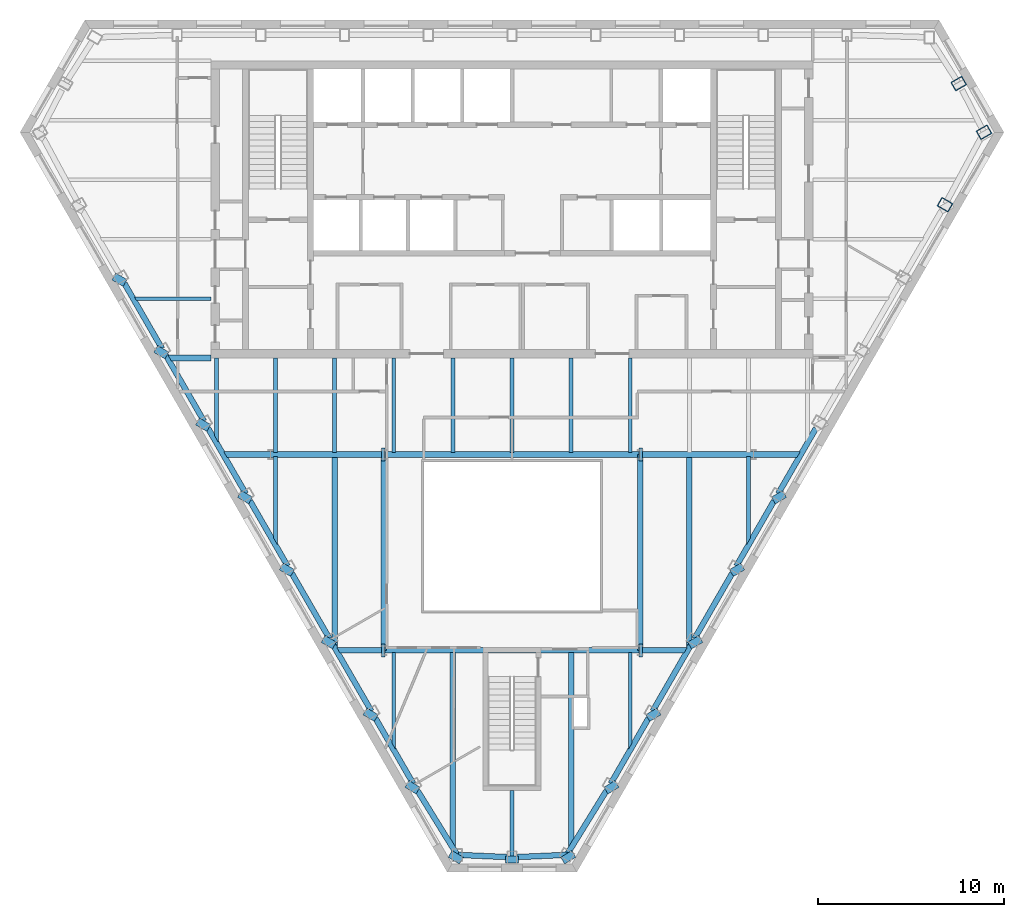
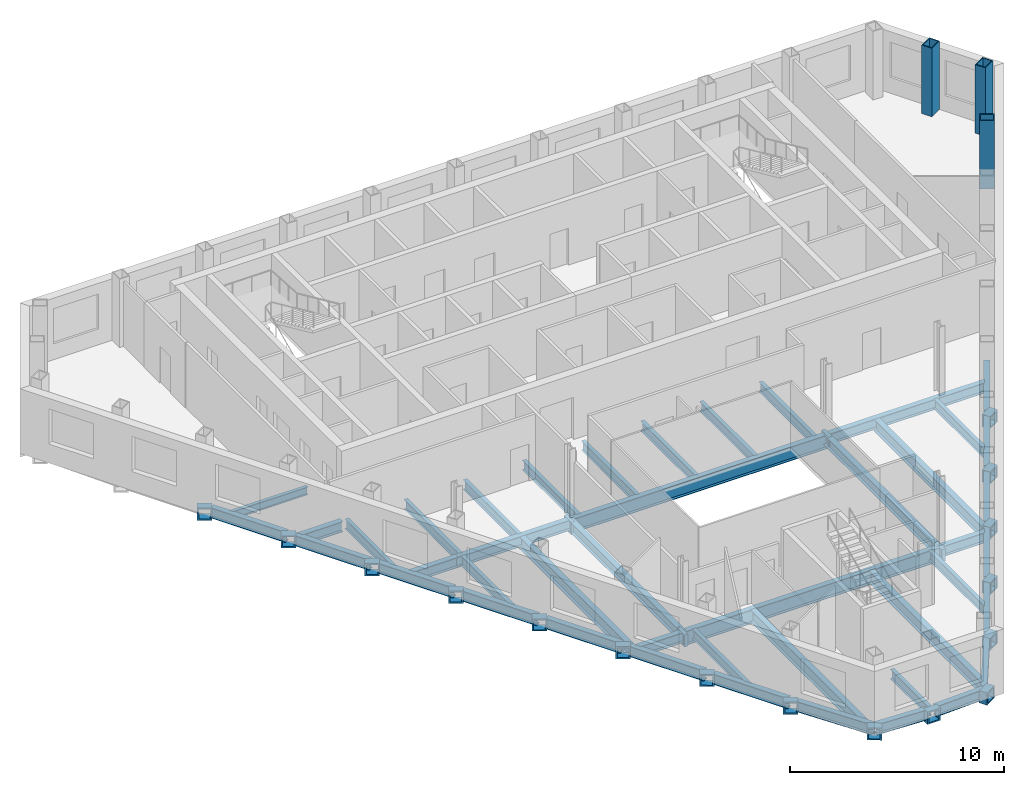
# One storey, part 2 of 11: 65 beams, 3 columns.
"""IFC4 building model written with IfcOpenShell, lengths in metres."""

from ifc_helpers import new_model, si_unit, direction, frame, origin, origin_2d, place, context, subcontext, project, spatial, hollow_rectangle, i_section, extrude, clip, halfspace, material, material_profile, profile_set, type_object, element, save


model = new_model("IFC4")

# Units and contexts
model_context = context("Model", 3, precision=1e-05, world=origin(), true_north=direction((0.0, 1.0)))
body_context = subcontext(model_context, "Body", "Model", "MODEL_VIEW")
ifc_project = project(units=[si_unit("LENGTHUNIT", "METRE"), si_unit("AREAUNIT", "SQUARE_METRE"), si_unit("VOLUMEUNIT", "CUBIC_METRE"), si_unit("PLANEANGLEUNIT", "RADIAN"), si_unit("MASSUNIT", "GRAM", prefix="KILO")], contexts=[model_context])

# Site, building, storey
site_placement = place(None, origin())
site = spatial("IfcSite", under=ifc_project, at=site_placement, CompositionType="ELEMENT")
building_placement = place(site_placement, origin())
building = spatial("IfcBuilding", under=site, at=building_placement, Name="Njiva Tower", CompositionType="ELEMENT")
storey_placement = place(building_placement, frame((0.0, 0.0, 216.0)))
storey = spatial("IfcBuildingStorey", under=building, at=storey_placement, Name="L48", CompositionType="ELEMENT", Elevation=216.0)

# Columns
ifc_material = material(Name="Steel S355 J2", Category="steel")
ifc_material_profile_1 = material_profile(ifc_material, hollow_rectangle(XDim=0.55, YDim=0.7, WallThickness=0.05, at=origin_2d()), Name="BOX 700x550x50")
ifc_profile_set_1 = profile_set([ifc_material_profile_1], Name="Steel S355 J2")
column_type = type_object("IfcColumnType", Name="C11 Perimeter tube column BOX 700x550x50", PredefinedType="COLUMN", material=ifc_profile_set_1)
for number, where, z_axis, x_axis, name in (
    (1, (23.317, 10.251, 0.0), (0.0, 0.0, 1.0), (0.5, 0.866025403784, 0.0), "Perimeter tube column S16-C34"),
    (2, (25.418, 14.155, 0.0), (0.0, 0.0, 1.0), (-0.5, 0.866025403784, 0.0), "Perimeter tube column S16-C35"),
    (3, (24.057, 16.778, 0.0), (0.0, 0.0, 1.0), (-0.5, 0.866025403784, 0.0), "Perimeter tube column S16-C36"),
):
    element("IfcColumn", number, at=place(storey_placement, frame(where, z_axis=z_axis, x_axis=x_axis)), inside=storey, type_object=column_type, Name=name, PredefinedType="COLUMN", context=body_context, shape_type="SweptSolid", body=[
        extrude(hollow_rectangle(XDim=0.55, YDim=0.7, WallThickness=0.05, at=origin_2d()), origin(), (0.0, 0.0, 1.0), 3.9),
    ])

# Beams
ifc_material_profile_2 = material_profile(ifc_material, i_section(OverallWidth=0.3, OverallDepth=0.69, WebThickness=0.0145, FlangeThickness=0.027, at=origin_2d()), Name="HEA 700")
ifc_profile_set_2 = profile_set([ifc_material_profile_2], Name="Steel S355 J2")
beam_type_1 = type_object("IfcBeamType", Name="B12 Long-span floor joist HEA 700", PredefinedType="JOIST", material=ifc_profile_set_2)
beam_1_placement = place(storey_placement, frame((-9.55, -3.3, -0.545), z_axis=(0.0, -1.0, 0.0), x_axis=(1.0, 0.0, 0.0)))
element("IfcBeam", 4, at=beam_1_placement, inside=storey, type_object=beam_type_1, Name="Long-span floor joist S16-B051", PredefinedType="JOIST", context=body_context, shape_type="Clipping", body=[
    clip(extrude(i_section(OverallWidth=0.3, OverallDepth=0.69, WebThickness=0.0145, FlangeThickness=0.027, at=origin_2d()), origin(), (0.0, 0.0, 1.0), 10.296), halfspace(frame((-0.0433, 0.0, 10.0195), z_axis=(-0.866026552831, 0.0, 0.499998009787), x_axis=(0.0, 1.0, 0.0)), False)),
])
beam_2_placement = place(storey_placement, frame((-3.183, -13.85, -0.545), z_axis=(0.0, -1.0, 0.0), x_axis=(1.0, 0.0, 0.0)))
element("IfcBeam", 5, at=beam_2_placement, inside=storey, type_object=beam_type_1, Name="Long-span floor joist S16-B055", PredefinedType="JOIST", context=body_context, shape_type="Clipping", body=[
    clip(extrude(i_section(OverallWidth=0.3, OverallDepth=0.69, WebThickness=0.0145, FlangeThickness=0.027, at=origin_2d()), origin(), (0.0, 0.0, 1.0), 10.532), halfspace(frame((-0.0429, 0.0, 10.2731), z_axis=(-0.850624900762, 0.0, 0.525773029171), x_axis=(0.0, 1.0, 0.0)), False)),
])
beam_3_placement = place(storey_placement, frame((3.183, -13.85, -0.545), z_axis=(0.0, -1.0, 0.0), x_axis=(1.0, 0.0, 0.0)))
element("IfcBeam", 6, at=beam_3_placement, inside=storey, type_object=beam_type_1, Name="Long-span floor joist S16-B060", PredefinedType="JOIST", context=body_context, shape_type="Clipping", body=[
    clip(extrude(i_section(OverallWidth=0.3, OverallDepth=0.69, WebThickness=0.0145, FlangeThickness=0.027, at=origin_2d()), origin(), (0.0, 0.0, 1.0), 10.532), halfspace(frame((0.0429, 0.0, 10.2731), z_axis=(0.850624900762, 0.0, 0.525773029171), x_axis=(0.0, 1.0, 0.0)), False)),
])
beam_4_placement = place(storey_placement, frame((9.55, -3.3, -0.545), z_axis=(0.0, -1.0, 0.0), x_axis=(1.0, 0.0, 0.0)))
element("IfcBeam", 7, at=beam_4_placement, inside=storey, type_object=beam_type_1, Name="Long-span floor joist S16-B064", PredefinedType="JOIST", context=body_context, shape_type="Clipping", body=[
    clip(extrude(i_section(OverallWidth=0.3, OverallDepth=0.69, WebThickness=0.0145, FlangeThickness=0.027, at=origin_2d()), origin(), (0.0, 0.0, 1.0), 10.296), halfspace(frame((0.0433, 0.0, 10.0195), z_axis=(0.866026552831, 0.0, 0.499998009787), x_axis=(0.0, 1.0, 0.0)), False)),
])
ifc_material_profile_3 = material_profile(ifc_material, hollow_rectangle(XDim=0.7, YDim=0.7, WallThickness=0.08, at=origin_2d()), Name="BOX 700x700x80")
ifc_profile_set_3 = profile_set([ifc_material_profile_3], Name="Steel S355 J2")
beam_type_2 = type_object("IfcBeamType", Name="B19 Column jog beam BOX 700x700x80", PredefinedType="BEAM", material=ifc_profile_set_3)
beam_5_placement = place(storey_placement, frame((-21.244, 6.027, -0.55), z_axis=(0.49437165503, 0.869250635147, 0.0), x_axis=(-0.869250635147, 0.49437165503, 0.0)))
element("IfcBeam", 8, at=beam_5_placement, inside=storey, type_object=beam_type_2, Name="Column jog beam S16-B022", PredefinedType="BEAM", context=body_context, shape_type="SweptSolid", body=[
    extrude(hollow_rectangle(XDim=0.7, YDim=0.7, WallThickness=0.08, at=origin_2d()), origin(), (0.0, 0.0, 1.0), 0.4268),
])
for number, where, z_axis, x_axis, name in (
    (9, (-18.99, 2.124, -0.55), (0.498162050838, 0.867083946977, 0.0), (-0.867083946977, 0.498162050838, 0.0), "Column jog beam S16-B023"),
    (10, (-16.736, -1.78, -0.55), (0.498162050838, 0.867083946977, 0.0), (-0.867083946977, 0.498162050838, 0.0), "Column jog beam S16-B024"),
):
    element("IfcBeam", number, at=place(storey_placement, frame(where, z_axis=z_axis, x_axis=x_axis)), inside=storey, type_object=beam_type_2, Name=name, PredefinedType="BEAM", context=body_context, shape_type="SweptSolid", body=[
        extrude(hollow_rectangle(XDim=0.7, YDim=0.7, WallThickness=0.08, at=origin_2d()), origin(), (0.0, 0.0, 1.0), 0.4256),
    ])
beam_6_placement = place(storey_placement, frame((-14.482, -5.684, -0.55), z_axis=(0.499178780935, 0.866499015963, 0.0), x_axis=(-0.866499015963, 0.499178780935, 0.0)))
element("IfcBeam", 11, at=beam_6_placement, inside=storey, type_object=beam_type_2, Name="Column jog beam S16-B025", PredefinedType="BEAM", context=body_context, shape_type="SweptSolid", body=[
    extrude(hollow_rectangle(XDim=0.7, YDim=0.7, WallThickness=0.08, at=origin_2d()), origin(), (0.0, 0.0, 1.0), 0.4247),
])
beam_7_placement = place(storey_placement, frame((-12.228, -9.588, -0.55), z_axis=(0.500943559977, 0.865479953388, 0.0), x_axis=(-0.865479953388, 0.500943559977, 0.0)))
element("IfcBeam", 12, at=beam_7_placement, inside=storey, type_object=beam_type_2, Name="Column jog beam S16-B026", PredefinedType="BEAM", context=body_context, shape_type="SweptSolid", body=[
    extrude(hollow_rectangle(XDim=0.7, YDim=0.7, WallThickness=0.08, at=origin_2d()), origin(), (0.0, 0.0, 1.0), 0.4252),
])
beam_8_placement = place(storey_placement, frame((-9.975, -13.491, -0.55), z_axis=(0.504750674229, 0.863265171813, 0.0), x_axis=(-0.863265171813, 0.504750674229, 0.0)))
element("IfcBeam", 13, at=beam_8_placement, inside=storey, type_object=beam_type_2, Name="Column jog beam S16-B027", PredefinedType="BEAM", context=body_context, shape_type="SweptSolid", body=[
    extrude(hollow_rectangle(XDim=0.7, YDim=0.7, WallThickness=0.08, at=origin_2d()), origin(), (0.0, 0.0, 1.0), 0.424),
])
beam_9_placement = place(storey_placement, frame((-7.721, -17.395, -0.55), z_axis=(0.505780153596, 0.862662411508, 0.0), x_axis=(-0.862662411508, 0.505780153596, 0.0)))
element("IfcBeam", 14, at=beam_9_placement, inside=storey, type_object=beam_type_2, Name="Column jog beam S16-B028", PredefinedType="BEAM", context=body_context, shape_type="SweptSolid", body=[
    extrude(hollow_rectangle(XDim=0.7, YDim=0.7, WallThickness=0.08, at=origin_2d()), origin(), (0.0, 0.0, 1.0), 0.4231),
])
beam_10_placement = place(storey_placement, frame((-5.468, -21.299, -0.55), z_axis=(0.511028368977, 0.859563846436, 0.0), x_axis=(-0.859563846436, 0.511028368977, 0.0)))
element("IfcBeam", 15, at=beam_10_placement, inside=storey, type_object=beam_type_2, Name="Column jog beam S16-B031", PredefinedType="BEAM", context=body_context, shape_type="SweptSolid", body=[
    extrude(hollow_rectangle(XDim=0.7, YDim=0.7, WallThickness=0.08, at=origin_2d()), origin(), (0.0, 0.0, 1.0), 0.4246),
])
beam_11_placement = place(storey_placement, frame((-3.137, -25.068, -0.55), z_axis=(0.515193868747, 0.857073671049, 0.0), x_axis=(-0.857073671049, 0.515193868747, 0.0)))
element("IfcBeam", 16, at=beam_11_placement, inside=storey, type_object=beam_type_2, Name="Column jog beam S16-B032", PredefinedType="BEAM", context=body_context, shape_type="SweptSolid", body=[
    extrude(hollow_rectangle(XDim=0.7, YDim=0.7, WallThickness=0.08, at=origin_2d()), origin(), (0.0, 0.0, 1.0), 0.4212),
])
beam_12_placement = place(storey_placement, frame((0.0, -25.21, -0.55), z_axis=(0.0, 1.0, 0.0), x_axis=(-1.0, 0.0, 0.0)))
element("IfcBeam", 17, at=beam_12_placement, inside=storey, type_object=beam_type_2, Name="Column jog beam S16-B033", PredefinedType="BEAM", context=body_context, shape_type="SweptSolid", body=[
    extrude(hollow_rectangle(XDim=0.7, YDim=0.7, WallThickness=0.08, at=origin_2d()), origin(), (0.0, 0.0, 1.0), 0.379),
])
beam_13_placement = place(storey_placement, frame((3.137, -25.068, -0.55), z_axis=(-0.515193868747, 0.857073671049, 0.0), x_axis=(-0.857073671049, -0.515193868747, 0.0)))
element("IfcBeam", 18, at=beam_13_placement, inside=storey, type_object=beam_type_2, Name="Column jog beam S16-B034", PredefinedType="BEAM", context=body_context, shape_type="SweptSolid", body=[
    extrude(hollow_rectangle(XDim=0.7, YDim=0.7, WallThickness=0.08, at=origin_2d()), origin(), (0.0, 0.0, 1.0), 0.4212),
])
beam_14_placement = place(storey_placement, frame((5.468, -21.299, -0.55), z_axis=(-0.511028368977, 0.859563846436, 0.0), x_axis=(-0.859563846436, -0.511028368977, 0.0)))
element("IfcBeam", 19, at=beam_14_placement, inside=storey, type_object=beam_type_2, Name="Column jog beam S16-B035", PredefinedType="BEAM", context=body_context, shape_type="SweptSolid", body=[
    extrude(hollow_rectangle(XDim=0.7, YDim=0.7, WallThickness=0.08, at=origin_2d()), origin(), (0.0, 0.0, 1.0), 0.4246),
])
beam_15_placement = place(storey_placement, frame((7.721, -17.395, -0.55), z_axis=(-0.505780153596, 0.862662411508, 0.0), x_axis=(-0.862662411508, -0.505780153596, 0.0)))
element("IfcBeam", 20, at=beam_15_placement, inside=storey, type_object=beam_type_2, Name="Column jog beam S16-B038", PredefinedType="BEAM", context=body_context, shape_type="SweptSolid", body=[
    extrude(hollow_rectangle(XDim=0.7, YDim=0.7, WallThickness=0.08, at=origin_2d()), origin(), (0.0, 0.0, 1.0), 0.4231),
])
beam_16_placement = place(storey_placement, frame((9.975, -13.491, -0.55), z_axis=(-0.504750674229, 0.863265171813, 0.0), x_axis=(-0.863265171813, -0.504750674229, 0.0)))
element("IfcBeam", 21, at=beam_16_placement, inside=storey, type_object=beam_type_2, Name="Column jog beam S16-B039", PredefinedType="BEAM", context=body_context, shape_type="SweptSolid", body=[
    extrude(hollow_rectangle(XDim=0.7, YDim=0.7, WallThickness=0.08, at=origin_2d()), origin(), (0.0, 0.0, 1.0), 0.424),
])
beam_17_placement = place(storey_placement, frame((12.228, -9.588, -0.55), z_axis=(-0.500943559977, 0.865479953388, 0.0), x_axis=(-0.865479953388, -0.500943559977, 0.0)))
element("IfcBeam", 22, at=beam_17_placement, inside=storey, type_object=beam_type_2, Name="Column jog beam S16-B040", PredefinedType="BEAM", context=body_context, shape_type="SweptSolid", body=[
    extrude(hollow_rectangle(XDim=0.7, YDim=0.7, WallThickness=0.08, at=origin_2d()), origin(), (0.0, 0.0, 1.0), 0.4252),
])
beam_18_placement = place(storey_placement, frame((14.482, -5.684, -0.55), z_axis=(-0.499178780935, 0.866499015963, 0.0), x_axis=(-0.866499015963, -0.499178780935, 0.0)))
element("IfcBeam", 23, at=beam_18_placement, inside=storey, type_object=beam_type_2, Name="Column jog beam S16-B041", PredefinedType="BEAM", context=body_context, shape_type="SweptSolid", body=[
    extrude(hollow_rectangle(XDim=0.7, YDim=0.7, WallThickness=0.08, at=origin_2d()), origin(), (0.0, 0.0, 1.0), 0.4247),
])
for number, where, z_axis, x_axis, name in (
    (24, (7.03, -3.2, -0.55), (-1.0, 0.0, 0.0), (0.0, -1.0, 0.0), "Column jog beam S16-B037"),
    (25, (-7.03, -3.2, -0.55), (1.0, 0.0, 0.0), (0.0, 1.0, 0.0), "Column jog beam S16-B030"),
    (26, (7.03, -13.75, -0.55), (-1.0, 0.0, 0.0), (0.0, -1.0, 0.0), "Column jog beam S16-B036"),
    (27, (-7.03, -13.75, -0.55), (1.0, 0.0, 0.0), (0.0, 1.0, 0.0), "Column jog beam S16-B029"),
):
    element("IfcBeam", number, at=place(storey_placement, frame(where, z_axis=z_axis, x_axis=x_axis)), inside=storey, type_object=beam_type_2, Name=name, PredefinedType="BEAM", context=body_context, shape_type="SweptSolid", body=[
        extrude(hollow_rectangle(XDim=0.7, YDim=0.7, WallThickness=0.08, at=origin_2d()), origin(), (0.0, 0.0, 1.0), 0.19),
    ])
ifc_material_profile_4 = material_profile(ifc_material, i_section(OverallWidth=0.3, OverallDepth=0.59, WebThickness=0.013, FlangeThickness=0.025, at=origin_2d()), Name="HEA 600")
ifc_profile_set_4 = profile_set([ifc_material_profile_4], Name="Steel S355 J2")
beam_type_3 = type_object("IfcBeamType", Name="B27 Short-span spandrel beam HEA 600", PredefinedType="SPANDREL", material=ifc_profile_set_4)
beam_19_placement = place(storey_placement, frame((-20.872, 6.016, -0.495), z_axis=(0.499957196903, -0.866050114754, 0.0), x_axis=(0.866050114754, 0.499957196903, 0.0)))
element("IfcBeam", 28, at=beam_19_placement, inside=storey, type_object=beam_type_3, Name="Short-span spandrel beam S16-B085", PredefinedType="SPANDREL", context=body_context, shape_type="SweptSolid", body=[
    extrude(i_section(OverallWidth=0.3, OverallDepth=0.59, WebThickness=0.013, FlangeThickness=0.025, at=origin_2d()), origin(), (0.0, 0.0, 1.0), 4.0563),
])
for number, where, z_axis, x_axis, name in (
    (29, (-18.619, 2.113, -0.495), (0.500035331196, -0.866005004348, 0.0), (0.866005004348, 0.500035331196, 0.0), "Short-span spandrel beam S16-B087"),
    (30, (-16.365, -1.791, -0.495), (0.500035331196, -0.866005004348, 0.0), (0.866005004348, 0.500035331196, 0.0), "Short-span spandrel beam S16-B090"),
    (31, (-14.111, -5.695, -0.495), (0.500035331196, -0.866005004348, 0.0), (0.866005004348, 0.500035331196, 0.0), "Short-span spandrel beam S16-B092"),
):
    element("IfcBeam", number, at=place(storey_placement, frame(where, z_axis=z_axis, x_axis=x_axis)), inside=storey, type_object=beam_type_3, Name=name, PredefinedType="SPANDREL", context=body_context, shape_type="SweptSolid", body=[
        extrude(i_section(OverallWidth=0.3, OverallDepth=0.59, WebThickness=0.013, FlangeThickness=0.025, at=origin_2d()), origin(), (0.0, 0.0, 1.0), 4.0577),
    ])
beam_20_placement = place(storey_placement, frame((-11.857, -9.599, -0.495), z_axis=(0.499957196903, -0.866050114754, 0.0), x_axis=(0.866050114754, 0.499957196903, 0.0)))
element("IfcBeam", 32, at=beam_20_placement, inside=storey, type_object=beam_type_3, Name="Short-span spandrel beam S16-B095", PredefinedType="SPANDREL", context=body_context, shape_type="SweptSolid", body=[
    extrude(i_section(OverallWidth=0.3, OverallDepth=0.59, WebThickness=0.013, FlangeThickness=0.025, at=origin_2d()), origin(), (0.0, 0.0, 1.0), 4.0563),
])
for number, where, z_axis, x_axis, name in (
    (33, (-9.604, -13.502, -0.495), (0.500035331196, -0.866005004348, 0.0), (0.866005004348, 0.500035331196, 0.0), "Short-span spandrel beam S16-B097"),
    (34, (-7.35, -17.406, -0.495), (0.500035331196, -0.866005004348, 0.0), (0.866005004348, 0.500035331196, 0.0), "Short-span spandrel beam S16-B100"),
):
    element("IfcBeam", number, at=place(storey_placement, frame(where, z_axis=z_axis, x_axis=x_axis)), inside=storey, type_object=beam_type_3, Name=name, PredefinedType="SPANDREL", context=body_context, shape_type="SweptSolid", body=[
        extrude(i_section(OverallWidth=0.3, OverallDepth=0.59, WebThickness=0.013, FlangeThickness=0.025, at=origin_2d()), origin(), (0.0, 0.0, 1.0), 4.0577),
    ])
beam_21_placement = place(storey_placement, frame((-5.085, -21.305, -0.495), z_axis=(0.525779463188, -0.850620923849, 0.0), x_axis=(0.850620923849, 0.525779463188, 0.0)))
element("IfcBeam", 35, at=beam_21_placement, inside=storey, type_object=beam_type_3, Name="Short-span spandrel beam S16-B102", PredefinedType="SPANDREL", context=body_context, shape_type="Clipping", body=[
    clip(extrude(i_section(OverallWidth=0.3, OverallDepth=0.59, WebThickness=0.013, FlangeThickness=0.025, at=origin_2d()), origin(), (0.0, 0.0, 1.0), 4.1242), halfspace(frame((-0.0266, 0.0, 3.9947), z_axis=(-0.525779463188, 0.0, 0.850620923849), x_axis=(0.0, 1.0, 0.0)), False)),
])
beam_22_placement = place(storey_placement, frame((-2.875, -24.761, -0.495), z_axis=(0.998990983329, -0.044911192677, 0.0), x_axis=(0.044911192677, 0.998990983329, 0.0)))
element("IfcBeam", 36, at=beam_22_placement, inside=storey, type_object=beam_type_3, Name="Short-span spandrel beam S16-B104", PredefinedType="SPANDREL", context=body_context, shape_type="SweptSolid", body=[
    extrude(i_section(OverallWidth=0.3, OverallDepth=0.59, WebThickness=0.013, FlangeThickness=0.025, at=origin_2d()), origin(), (0.0, 0.0, 1.0), 2.6497),
])
beam_23_placement = place(storey_placement, frame((0.228, -24.88, -0.495), z_axis=(0.998999054412, 0.044731300944, 0.0), x_axis=(-0.044731300944, 0.998999054412, 0.0)))
element("IfcBeam", 37, at=beam_23_placement, inside=storey, type_object=beam_type_3, Name="Short-span spandrel beam S16-B108", PredefinedType="SPANDREL", context=body_context, shape_type="Clipping", body=[
    clip(extrude(i_section(OverallWidth=0.3, OverallDepth=0.59, WebThickness=0.013, FlangeThickness=0.025, at=origin_2d()), origin(), (0.0, 0.0, 1.0), 2.7987), halfspace(frame((-0.0265, 0.0, 2.6658), z_axis=(-0.538236033345, 0.0, 0.842794145927), x_axis=(0.0, 1.0, 0.0)), False)),
])
beam_24_placement = place(storey_placement, frame((2.994, -24.688, -0.495), z_axis=(0.525765866167, 0.850629328188, 0.0), x_axis=(-0.850629328188, 0.525765866167, 0.0)))
element("IfcBeam", 38, at=beam_24_placement, inside=storey, type_object=beam_type_3, Name="Short-span spandrel beam S16-B109", PredefinedType="SPANDREL", context=body_context, shape_type="SweptSolid", body=[
    extrude(i_section(OverallWidth=0.3, OverallDepth=0.59, WebThickness=0.013, FlangeThickness=0.025, at=origin_2d()), origin(), (0.0, 0.0, 1.0), 3.9771),
])
for number, where, z_axis, x_axis, name in (
    (39, (5.321, -20.92, -0.495), (0.500035331196, 0.866005004348, 0.0), (-0.866005004348, 0.500035331196, 0.0), "Short-span spandrel beam S16-B112"),
    (40, (7.575, -17.016, -0.495), (0.500035331196, 0.866005004348, 0.0), (-0.866005004348, 0.500035331196, 0.0), "Short-span spandrel beam S16-B114"),
):
    element("IfcBeam", number, at=place(storey_placement, frame(where, z_axis=z_axis, x_axis=x_axis)), inside=storey, type_object=beam_type_3, Name=name, PredefinedType="SPANDREL", context=body_context, shape_type="SweptSolid", body=[
        extrude(i_section(OverallWidth=0.3, OverallDepth=0.59, WebThickness=0.013, FlangeThickness=0.025, at=origin_2d()), origin(), (0.0, 0.0, 1.0), 4.0577),
    ])
beam_25_placement = place(storey_placement, frame((9.829, -13.112, -0.495), z_axis=(0.499957196903, 0.866050114754, 0.0), x_axis=(-0.866050114754, 0.499957196903, 0.0)))
element("IfcBeam", 41, at=beam_25_placement, inside=storey, type_object=beam_type_3, Name="Short-span spandrel beam S16-B117", PredefinedType="SPANDREL", context=body_context, shape_type="SweptSolid", body=[
    extrude(i_section(OverallWidth=0.3, OverallDepth=0.59, WebThickness=0.013, FlangeThickness=0.025, at=origin_2d()), origin(), (0.0, 0.0, 1.0), 4.0563),
])
for number, where, z_axis, x_axis, name in (
    (42, (12.082, -9.209, -0.495), (0.500035331196, 0.866005004348, 0.0), (-0.866005004348, 0.500035331196, 0.0), "Short-span spandrel beam S16-B119"),
    (43, (14.336, -5.305, -0.495), (0.500035331196, 0.866005004348, 0.0), (-0.866005004348, 0.500035331196, 0.0), "Short-span spandrel beam S16-B122"),
):
    element("IfcBeam", number, at=place(storey_placement, frame(where, z_axis=z_axis, x_axis=x_axis)), inside=storey, type_object=beam_type_3, Name=name, PredefinedType="SPANDREL", context=body_context, shape_type="SweptSolid", body=[
        extrude(i_section(OverallWidth=0.3, OverallDepth=0.59, WebThickness=0.013, FlangeThickness=0.025, at=origin_2d()), origin(), (0.0, 0.0, 1.0), 4.0577),
    ])
ifc_material_profile_5 = material_profile(ifc_material, i_section(OverallWidth=0.3, OverallDepth=0.59, WebThickness=0.013, FlangeThickness=0.025, at=origin_2d()), Name="HEA 600")
ifc_profile_set_5 = profile_set([ifc_material_profile_5], Name="Steel S355 J2")
beam_type_4 = type_object("IfcBeamType", Name="B28 Floor girder HEA 600", PredefinedType="BEAM", material=ifc_profile_set_5)
for number, where, z_axis, x_axis, name in (
    (44, (-13.0, -3.2, -0.495), (1.0, 0.0, 0.0), (0.0, 1.0, 0.0), "Floor girder S16-B013"),
    (45, (6.9, -3.2, -0.495), (1.0, 0.0, 0.0), (0.0, 1.0, 0.0), "Floor girder S16-B016"),
):
    element("IfcBeam", number, at=place(storey_placement, frame(where, z_axis=z_axis, x_axis=x_axis)), inside=storey, type_object=beam_type_4, Name=name, PredefinedType="BEAM", context=body_context, shape_type="SweptSolid", body=[
        extrude(i_section(OverallWidth=0.3, OverallDepth=0.59, WebThickness=0.013, FlangeThickness=0.025, at=origin_2d()), origin(), (0.0, 0.0, 1.0), 6.1),
    ])
ifc_material_profile_6 = material_profile(ifc_material, i_section(OverallWidth=0.3, OverallDepth=0.59, WebThickness=0.013, FlangeThickness=0.025, at=origin_2d()), Name="HEA 600")
ifc_profile_set_6 = profile_set([ifc_material_profile_6], Name="Steel S355 J2")
beam_type_5 = type_object("IfcBeamType", Name="B29 Short-span floor girder HEA 600", PredefinedType="BEAM", material=ifc_profile_set_6)
beam_26_placement = place(storey_placement, frame((-15.543, -3.2, -0.495), z_axis=(1.0, 0.0, 0.0), x_axis=(0.0, 1.0, 0.0)))
element("IfcBeam", 46, at=beam_26_placement, inside=storey, type_object=beam_type_5, Name="Short-span floor girder S16-B012", PredefinedType="BEAM", context=body_context, shape_type="Clipping", body=[
    clip(extrude(i_section(OverallWidth=0.3, OverallDepth=0.59, WebThickness=0.013, FlangeThickness=0.025, at=origin_2d()), origin(), (0.0, 0.0, 1.0), 2.543), halfspace(frame((-0.025, 0.0, 0.1217), z_axis=(-0.499998009787, 0.0, -0.866026552831), x_axis=(0.0, -1.0, 0.0)), False)),
])
beam_27_placement = place(storey_placement, frame((13.0, -3.2, -0.495), z_axis=(1.0, 0.0, 0.0), x_axis=(0.0, 1.0, 0.0)))
element("IfcBeam", 47, at=beam_27_placement, inside=storey, type_object=beam_type_5, Name="Short-span floor girder S16-B017", PredefinedType="BEAM", context=body_context, shape_type="Clipping", body=[
    clip(extrude(i_section(OverallWidth=0.3, OverallDepth=0.59, WebThickness=0.013, FlangeThickness=0.025, at=origin_2d()), origin(), (0.0, 0.0, 1.0), 2.543), halfspace(frame((-0.025, 0.0, 2.4213), z_axis=(-0.499998009787, 0.0, 0.866026552831), x_axis=(0.0, 1.0, 0.0)), False)),
])
beam_28_placement = place(storey_placement, frame((-9.452, -13.75, -0.495), z_axis=(1.0, 0.0, 0.0), x_axis=(0.0, 1.0, 0.0)))
element("IfcBeam", 48, at=beam_28_placement, inside=storey, type_object=beam_type_5, Name="Short-span floor girder S16-B014", PredefinedType="BEAM", context=body_context, shape_type="Clipping", body=[
    clip(extrude(i_section(OverallWidth=0.3, OverallDepth=0.59, WebThickness=0.013, FlangeThickness=0.025, at=origin_2d()), origin(), (0.0, 0.0, 1.0), 2.552), halfspace(frame((-0.025, 0.0, 0.1217), z_axis=(-0.499998009787, 0.0, -0.866026552831), x_axis=(0.0, -1.0, 0.0)), False)),
])
beam_29_placement = place(storey_placement, frame((6.9, -13.75, -0.495), z_axis=(1.0, 0.0, 0.0), x_axis=(0.0, 1.0, 0.0)))
element("IfcBeam", 49, at=beam_29_placement, inside=storey, type_object=beam_type_5, Name="Short-span floor girder S16-B015", PredefinedType="BEAM", context=body_context, shape_type="Clipping", body=[
    clip(extrude(i_section(OverallWidth=0.3, OverallDepth=0.59, WebThickness=0.013, FlangeThickness=0.025, at=origin_2d()), origin(), (0.0, 0.0, 1.0), 2.552), halfspace(frame((-0.025, 0.0, 2.4303), z_axis=(-0.499998009787, 0.0, 0.866026552831), x_axis=(0.0, 1.0, 0.0)), False)),
])
beam_30_placement = place(storey_placement, frame((-18.545, 2.0, -0.495), z_axis=(1.0, 0.0, 0.0), x_axis=(0.0, 1.0, 0.0)))
element("IfcBeam", 50, at=beam_30_placement, inside=storey, type_object=beam_type_5, Name="Short-span floor girder S16-B011", PredefinedType="BEAM", context=body_context, shape_type="Clipping", body=[
    clip(extrude(i_section(OverallWidth=0.3, OverallDepth=0.59, WebThickness=0.013, FlangeThickness=0.025, at=origin_2d()), origin(), (0.0, 0.0, 1.0), 2.345), halfspace(frame((-0.025, 0.0, 0.1214), z_axis=(-0.499998009787, 0.0, -0.866026552831), x_axis=(0.0, -1.0, 0.0)), False)),
])
ifc_material_profile_7 = material_profile(ifc_material, i_section(OverallWidth=0.3, OverallDepth=0.59, WebThickness=0.013, FlangeThickness=0.025, at=origin_2d()), Name="HEA 600")
ifc_profile_set_7 = profile_set([ifc_material_profile_7], Name="Steel S355 J2")
beam_type_6 = type_object("IfcBeamType", Name="B30 Long-span atrium trimmer beam HEA 600", PredefinedType="BEAM", material=ifc_profile_set_7)
for number, where, z_axis, x_axis, name in (
    (51, (6.9, -13.75, -0.495), (0.0, 1.0, 0.0), (-1.0, 0.0, 0.0), "Long-span atrium trimmer beam S16-B073"),
    (52, (-6.9, -3.2, -0.495), (0.0, -1.0, 0.0), (1.0, 0.0, 0.0), "Long-span atrium trimmer beam S16-B069"),
):
    element("IfcBeam", number, at=place(storey_placement, frame(where, z_axis=z_axis, x_axis=x_axis)), inside=storey, type_object=beam_type_6, Name=name, PredefinedType="BEAM", context=body_context, shape_type="SweptSolid", body=[
        extrude(i_section(OverallWidth=0.3, OverallDepth=0.59, WebThickness=0.013, FlangeThickness=0.025, at=origin_2d()), origin(), (0.0, 0.0, 1.0), 10.55),
    ])
ifc_material_profile_8 = material_profile(ifc_material, i_section(OverallWidth=0.21, OverallDepth=0.55, WebThickness=0.0111, FlangeThickness=0.0172, at=origin_2d()), Name="IPE 550")
ifc_profile_set_8 = profile_set([ifc_material_profile_8], Name="Steel S355 J2")
beam_type_7 = type_object("IfcBeamType", Name="B31 Short-span floor joist IPE 550", PredefinedType="JOIST", material=ifc_profile_set_8)
beam_31_placement = place(storey_placement, frame((-15.917, 1.995, -0.475), z_axis=(0.0, -1.0, 0.0), x_axis=(1.0, 0.0, 0.0)))
element("IfcBeam", 53, at=beam_31_placement, inside=storey, type_object=beam_type_7, Name="Short-span floor joist S16-B048", PredefinedType="JOIST", context=body_context, shape_type="Clipping", body=[
    clip(extrude(i_section(OverallWidth=0.21, OverallDepth=0.55, WebThickness=0.0111, FlangeThickness=0.0172, at=origin_2d()), origin(), (0.0, 0.0, 1.0), 4.564), halfspace(frame((-0.043, 0.0, 4.2871), z_axis=(-0.866026552831, 0.0, 0.499998009787), x_axis=(0.0, 1.0, 0.0)), False)),
])
beam_32_placement = place(storey_placement, frame((0.0, -21.3, -0.475), z_axis=(0.0, -1.0, 0.0), x_axis=(1.0, 0.0, 0.0)))
element("IfcBeam", 54, at=beam_32_placement, inside=storey, type_object=beam_type_7, Name="Short-span floor joist S16-B057", PredefinedType="JOIST", context=body_context, shape_type="SweptSolid", body=[
    extrude(i_section(OverallWidth=0.21, OverallDepth=0.55, WebThickness=0.0111, FlangeThickness=0.0172, at=origin_2d()), origin(), (0.0, 0.0, 1.0), 3.55),
])
ifc_material_profile_9 = material_profile(ifc_material, i_section(OverallWidth=0.21, OverallDepth=0.55, WebThickness=0.0111, FlangeThickness=0.0172, at=origin_2d()), Name="IPE 550")
ifc_profile_set_9 = profile_set([ifc_material_profile_9], Name="Steel S355 J2")
beam_type_8 = type_object("IfcBeamType", Name="B32 Floor joist IPE 550", PredefinedType="JOIST", material=ifc_profile_set_9)
beam_33_placement = place(storey_placement, frame((-12.733, 1.995, -0.475), z_axis=(0.0, -1.0, 0.0), x_axis=(1.0, 0.0, 0.0)))
element("IfcBeam", 55, at=beam_33_placement, inside=storey, type_object=beam_type_8, Name="Floor joist S16-B050", PredefinedType="JOIST", context=body_context, shape_type="SweptSolid", body=[
    extrude(i_section(OverallWidth=0.21, OverallDepth=0.55, WebThickness=0.0111, FlangeThickness=0.0172, at=origin_2d()), origin(), (0.0, 0.0, 1.0), 5.095),
])
beam_34_placement = place(storey_placement, frame((-12.733, -3.3, -0.475), z_axis=(0.0, -1.0, 0.0), x_axis=(1.0, 0.0, 0.0)))
element("IfcBeam", 56, at=beam_34_placement, inside=storey, type_object=beam_type_8, Name="Floor joist S16-B049", PredefinedType="JOIST", context=body_context, shape_type="Clipping", body=[
    clip(extrude(i_section(OverallWidth=0.21, OverallDepth=0.55, WebThickness=0.0111, FlangeThickness=0.0172, at=origin_2d()), origin(), (0.0, 0.0, 1.0), 4.783), halfspace(frame((-0.0436, 0.0, 4.5058), z_axis=(-0.866026552831, 0.0, 0.499998009787), x_axis=(0.0, 1.0, 0.0)), False)),
])
for number, where, z_axis, x_axis, name in (
    (57, (-9.55, 1.995, -0.475), (0.0, -1.0, 0.0), (1.0, 0.0, 0.0), "Floor joist S16-B052"),
    (58, (-6.367, 1.995, -0.475), (0.0, -1.0, 0.0), (1.0, 0.0, 0.0), "Floor joist S16-B054"),
):
    element("IfcBeam", number, at=place(storey_placement, frame(where, z_axis=z_axis, x_axis=x_axis)), inside=storey, type_object=beam_type_8, Name=name, PredefinedType="JOIST", context=body_context, shape_type="SweptSolid", body=[
        extrude(i_section(OverallWidth=0.21, OverallDepth=0.55, WebThickness=0.0111, FlangeThickness=0.0172, at=origin_2d()), origin(), (0.0, 0.0, 1.0), 5.095),
    ])
beam_35_placement = place(storey_placement, frame((-6.367, -13.85, -0.475), z_axis=(0.0, -1.0, 0.0), x_axis=(1.0, 0.0, 0.0)))
element("IfcBeam", 59, at=beam_35_placement, inside=storey, type_object=beam_type_8, Name="Floor joist S16-B053", PredefinedType="JOIST", context=body_context, shape_type="Clipping", body=[
    clip(extrude(i_section(OverallWidth=0.21, OverallDepth=0.55, WebThickness=0.0111, FlangeThickness=0.0172, at=origin_2d()), origin(), (0.0, 0.0, 1.0), 5.26), halfspace(frame((-0.043, 0.0, 4.9832), z_axis=(-0.866026552831, 0.0, 0.499998009787), x_axis=(0.0, 1.0, 0.0)), False)),
])
for number, where, z_axis, x_axis, name in (
    (60, (-3.183, 1.995, -0.475), (0.0, -1.0, 0.0), (1.0, 0.0, 0.0), "Floor joist S16-B056"),
    (61, (0.0, 1.995, -0.475), (0.0, -1.0, 0.0), (1.0, 0.0, 0.0), "Floor joist S16-B059"),
    (62, (3.183, 1.995, -0.475), (0.0, -1.0, 0.0), (1.0, 0.0, 0.0), "Floor joist S16-B061"),
    (63, (6.367, 1.995, -0.475), (0.0, -1.0, 0.0), (1.0, 0.0, 0.0), "Floor joist S16-B063"),
):
    element("IfcBeam", number, at=place(storey_placement, frame(where, z_axis=z_axis, x_axis=x_axis)), inside=storey, type_object=beam_type_8, Name=name, PredefinedType="JOIST", context=body_context, shape_type="SweptSolid", body=[
        extrude(i_section(OverallWidth=0.21, OverallDepth=0.55, WebThickness=0.0111, FlangeThickness=0.0172, at=origin_2d()), origin(), (0.0, 0.0, 1.0), 5.095),
    ])
beam_36_placement = place(storey_placement, frame((6.367, -13.85, -0.475), z_axis=(0.0, -1.0, 0.0), x_axis=(1.0, 0.0, 0.0)))
element("IfcBeam", 64, at=beam_36_placement, inside=storey, type_object=beam_type_8, Name="Floor joist S16-B062", PredefinedType="JOIST", context=body_context, shape_type="Clipping", body=[
    clip(extrude(i_section(OverallWidth=0.21, OverallDepth=0.55, WebThickness=0.0111, FlangeThickness=0.0172, at=origin_2d()), origin(), (0.0, 0.0, 1.0), 5.26), halfspace(frame((0.043, 0.0, 4.9832), z_axis=(0.866026552831, 0.0, 0.499998009787), x_axis=(0.0, 1.0, 0.0)), False)),
])
beam_37_placement = place(storey_placement, frame((12.733, -3.3, -0.475), z_axis=(0.0, -1.0, 0.0), x_axis=(1.0, 0.0, 0.0)))
element("IfcBeam", 65, at=beam_37_placement, inside=storey, type_object=beam_type_8, Name="Floor joist S16-B066", PredefinedType="JOIST", context=body_context, shape_type="Clipping", body=[
    clip(extrude(i_section(OverallWidth=0.21, OverallDepth=0.55, WebThickness=0.0111, FlangeThickness=0.0172, at=origin_2d()), origin(), (0.0, 0.0, 1.0), 4.783), halfspace(frame((0.0436, 0.0, 4.5058), z_axis=(0.866026552831, 0.0, 0.499998009787), x_axis=(0.0, 1.0, 0.0)), False)),
])
ifc_material_profile_10 = material_profile(ifc_material, i_section(OverallWidth=0.19, OverallDepth=0.45, WebThickness=0.0094, FlangeThickness=0.0146, at=origin_2d()), Name="IPE 450")
ifc_profile_set_10 = profile_set([ifc_material_profile_10], Name="Steel S355 J2")
beam_type_9 = type_object("IfcBeamType", Name="B38 Short-span floor beam to the core IPE 450", PredefinedType="BEAM", material=ifc_profile_set_10)
beam_38_placement = place(storey_placement, frame((-20.361, 5.2, -0.425), z_axis=(1.0, 0.0, 0.0), x_axis=(0.0, 1.0, 0.0)))
element("IfcBeam", 66, at=beam_38_placement, inside=storey, type_object=beam_type_9, Name="Short-span floor beam to the core S16-B005", PredefinedType="BEAM", context=body_context, shape_type="Clipping", body=[
    clip(extrude(i_section(OverallWidth=0.19, OverallDepth=0.45, WebThickness=0.0094, FlangeThickness=0.0146, at=origin_2d()), origin(), (0.0, 0.0, 1.0), 4.161), halfspace(frame((-0.025, 0.0, 0.0899), z_axis=(-0.499998009787, 0.0, -0.866026552831), x_axis=(0.0, -1.0, 0.0)), False)),
])
ifc_material_profile_11 = material_profile(ifc_material, i_section(OverallWidth=0.3, OverallDepth=0.79, WebThickness=0.015, FlangeThickness=0.028, at=origin_2d()), Name="HEA 800")
ifc_profile_set_11 = profile_set([ifc_material_profile_11], Name="Steel S355 J2")
beam_type_10 = type_object("IfcBeamType", Name="B9 Long-span atrium trimmer beam HEA 800", PredefinedType="BEAM", material=ifc_profile_set_11)
for number, where, z_axis, x_axis, name in (
    (67, (-6.9, -13.75, -0.595), (1.0, 0.0, 0.0), (0.0, 1.0, 0.0), "Long-span atrium trimmer beam S16-B070"),
    (68, (6.9, -3.2, -0.595), (-1.0, 0.0, 0.0), (0.0, -1.0, 0.0), "Long-span atrium trimmer beam S16-B072"),
):
    element("IfcBeam", number, at=place(storey_placement, frame(where, z_axis=z_axis, x_axis=x_axis)), inside=storey, type_object=beam_type_10, Name=name, PredefinedType="BEAM", context=body_context, shape_type="SweptSolid", body=[
        extrude(i_section(OverallWidth=0.3, OverallDepth=0.79, WebThickness=0.015, FlangeThickness=0.028, at=origin_2d()), origin(), (0.0, 0.0, 1.0), 13.8),
    ])

save(model, "model.ifc")
